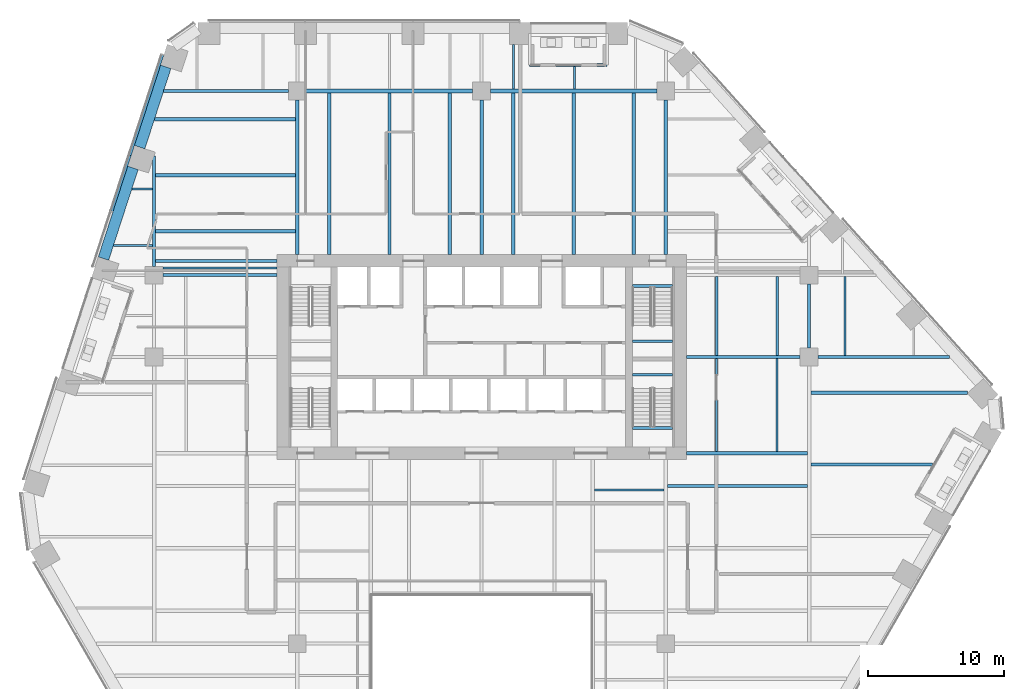
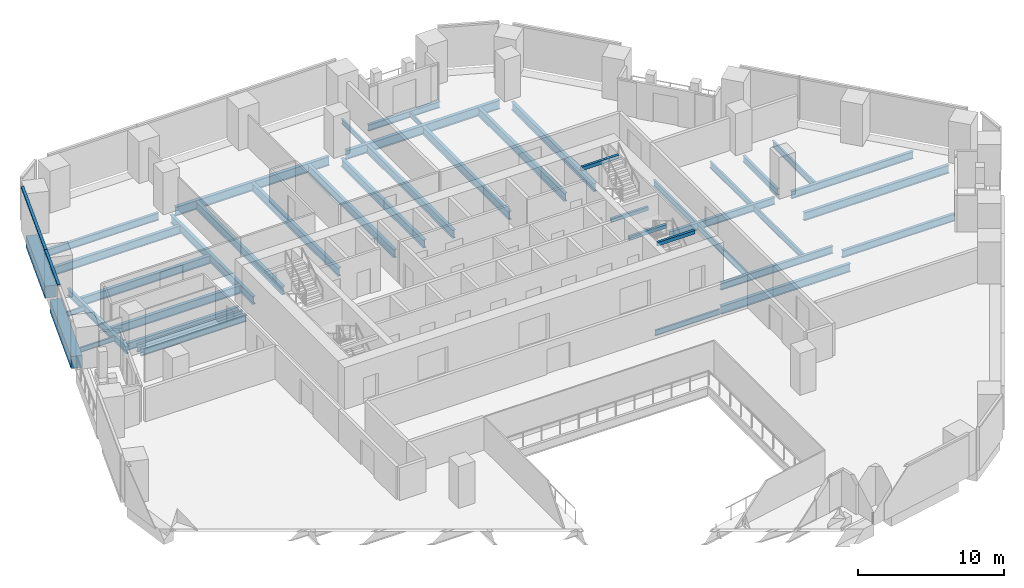
# One storey, part 11 of 28: 43 beams, 2 members, 1 element without a shape of its own.
"""IFC4 building model written with IfcOpenShell, lengths in metres."""

from ifc_helpers import new_model, si_unit, direction, frame, origin, origin_2d, place, context, subcontext, project, spatial, rectangle, i_section, extrude, material, layer, layer_set, material_profile, profile_set, type_object, element, aggregate, save


model = new_model("IFC4")

# Units and contexts
model_context = context("Model", 3, precision=1e-05, world=origin(), true_north=direction((0.0, 1.0)))
body_context = subcontext(model_context, "Body", "Model", "MODEL_VIEW")
ifc_project = project(units=[si_unit("LENGTHUNIT", "METRE"), si_unit("AREAUNIT", "SQUARE_METRE"), si_unit("VOLUMEUNIT", "CUBIC_METRE"), si_unit("PLANEANGLEUNIT", "RADIAN"), si_unit("MASSUNIT", "GRAM", prefix="KILO")], contexts=[model_context])

# Site, building, storey
site_placement = place(None, origin())
site = spatial("IfcSite", under=ifc_project, at=site_placement, CompositionType="ELEMENT")
building_placement = place(site_placement, origin())
building = spatial("IfcBuilding", under=site, at=building_placement, Name="Isthmus Gate Tower", CompositionType="ELEMENT")
storey_placement = place(building_placement, frame((0.0, 0.0, 98.89990234375)))
storey = spatial("IfcBuildingStorey", under=building, at=storey_placement, Name="L23", CompositionType="ELEMENT", Elevation=98.89990234375)

# Curtain wall, members
ifc_material_1 = material(Name="Aluminium, pale champagne anodised", Category="aluminium")
ifc_layer = layer(ifc_material_1, 0.199951171875)
ifc_layer_set = layer_set([ifc_layer], Name="CW-1 UNITISED CURTAIN WALL 200 DEEP")
curtain_wall_type = type_object("IfcCurtainWallType", Name="CW-1 UNITISED CURTAIN WALL 200 DEEP", PredefinedType="NOTDEFINED", material=ifc_layer_set)
curtain_wall_placement = place(storey_placement, origin())
curtain_wall = element("IfcCurtainWall", 1, at=curtain_wall_placement, inside=storey, type_object=curtain_wall_type, Name="CW-1 NW L23", PredefinedType="NOTDEFINED")
ifc_material_2 = material(Name="Aluminium, pale champagne anodised", Category="aluminium")
ifc_material_profile_1 = material_profile(ifc_material_2, rectangle(XDim=0.199951171875, YDim=0.14990234375, at=origin_2d()), Name="200x150")
ifc_profile_set_1 = profile_set([ifc_material_profile_1], Name="Aluminium, pale champagne anodised")
member_type = type_object("IfcMemberType", Name="CW-1 TRANSOM 200 X 150", PredefinedType="USERDEFINED", material=ifc_profile_set_1)
member_1_placement = place(storey_placement, frame((-23.389892578125, 29.6279296875, 3.5751953125), z_axis=(-0.309036077329, -0.951050315656, 0.0), x_axis=(0.951050315656, -0.309036077329, 0.0)))
member_1 = element("IfcMember", 2, at=member_1_placement, type_object=member_type, Name="CW-1 transom", ObjectType="TRANSOM", PredefinedType="USERDEFINED", context=body_context, shape_type="SweptSolid", body=[
    extrude(rectangle(XDim=0.199951171875, YDim=0.14990234375, at=origin_2d()), origin(), (0.0, 0.0, 1.0), 7.7294921875),
])
member_2_placement = place(storey_placement, frame((-25.778564453125, 22.27685546875, 3.5751953125), z_axis=(-0.309021801109, -0.951054954479, 0.0), x_axis=(0.951054954479, -0.309021801109, 0.0)))
member_2 = element("IfcMember", 3, at=member_2_placement, type_object=member_type, Name="CW-1 transom", ObjectType="TRANSOM", PredefinedType="USERDEFINED", context=body_context, shape_type="SweptSolid", body=[
    extrude(rectangle(XDim=0.199951171875, YDim=0.14990234375, at=origin_2d()), origin(), (0.0, 0.0, 1.0), 4.294677734375),
])
aggregate(curtain_wall, [member_1, member_2])

# Beams
ifc_material_3 = material(Name="Concrete f'c 70 MPa", Category="concrete")
ifc_material_profile_2 = material_profile(ifc_material_3, rectangle(XDim=0.800048828125, YDim=1.0, at=origin_2d()), Name="RC 800X1000")
ifc_profile_set_2 = profile_set([ifc_material_profile_2], Name="Concrete f'c 70 MPa")
beam_type_1 = type_object("IfcBeamType", Name="RC SPANDREL 800 X 1000", PredefinedType="SPANDREL", material=ifc_profile_set_2)
beam_1_placement = place(storey_placement, frame((-27.7099609375, 14.71435546875, -0.5), z_axis=(0.309029993465, 0.951052292537, 0.0), x_axis=(-0.951052292537, 0.309029993465, 0.0)))
element("IfcBeam", 4, at=beam_1_placement, inside=storey, type_object=beam_type_1, Name="str-spandrel-L23-20", PredefinedType="SPANDREL", context=body_context, shape_type="SweptSolid", body=[
    extrude(rectangle(XDim=0.800048828125, YDim=1.0, at=origin_2d()), origin(), (0.0, 0.0, 1.0), 6.9892578125),
])
beam_2_placement = place(storey_placement, frame((-25.0556640625, 22.88330078125, -0.5), z_axis=(0.309023635203, 0.951054358534, 0.0), x_axis=(-0.951054358534, 0.309023635203, 0.0)))
element("IfcBeam", 5, at=beam_2_placement, inside=storey, type_object=beam_type_1, Name="str-spandrel-L23-21", PredefinedType="SPANDREL", context=body_context, shape_type="SweptSolid", body=[
    extrude(rectangle(XDim=0.800048828125, YDim=1.0, at=origin_2d()), origin(), (0.0, 0.0, 1.0), 6.189208984375),
])
ifc_material_4 = material(Name="Concrete f'c 40 MPa", Category="concrete")
ifc_material_profile_3 = material_profile(ifc_material_4, rectangle(XDim=0.199951171875, YDim=0.300048828125, at=origin_2d()), Name="STAIR LANDING BEAM RC 200 X 300")
ifc_profile_set_3 = profile_set([ifc_material_profile_3], Name="Concrete f'c 40 MPa")
beam_type_2 = type_object("IfcBeamType", Name="STAIR LANDING BEAM RC 200 X 300", PredefinedType="BEAM", material=ifc_profile_set_3)
for number, where, z_axis, x_axis, name in (
    (6, (11.050048828125, 8.64990234375, 1.47509765625), (1.0, 0.0, 0.0), (0.0, 1.0, 0.0), "L23 ST2 landing beam 1"),
    (7, (11.050048828125, 12.7001953125, 3.35009765625), (1.0, 0.0, 0.0), (0.0, 1.0, 0.0), "L23 ST2 floor-edge seat beam"),
    (8, (11.050048828125, 6.199951171875, 1.47509765625), (1.0, 0.0, 0.0), (0.0, 1.0, 0.0), "L23 ST8 landing beam 1"),
    (9, (11.050048828125, 2.2998046875, 3.35009765625), (1.0, 0.0, 0.0), (0.0, 1.0, 0.0), "L23 ST8 floor-edge seat beam"),
):
    element("IfcBeam", number, at=place(storey_placement, frame(where, z_axis=z_axis, x_axis=x_axis)), inside=storey, type_object=beam_type_2, Name=name, PredefinedType="BEAM", context=body_context, shape_type="SweptSolid", body=[
        extrude(rectangle(XDim=0.199951171875, YDim=0.300048828125, at=origin_2d()), origin(), (0.0, 0.0, 1.0), 2.949951171875),
    ])
ifc_material_5 = material(Name="Structural steel ASTM A992 Gr 50", Category="steel")
ifc_material_profile_4 = material_profile(ifc_material_5, i_section(OverallWidth=0.1396484375, OverallDepth=0.4033203125, WebThickness=0.00634765625, FlangeThickness=0.010986328125, at=origin_2d()), Name="W16X31")
ifc_profile_set_4 = profile_set([ifc_material_profile_4], Name="Structural steel ASTM A992 Gr 50")
beam_type_3 = type_object("IfcBeamType", Name="STEEL FLOOR BEAM W16X31", PredefinedType="JOIST", material=ifc_profile_set_4)
beam_3_placement = place(storey_placement, frame((-26.976318359375, 15.677978515625, -0.3515625), z_axis=(1.0, 0.0, 0.0), x_axis=(0.0, 1.0, 0.0)))
element("IfcBeam", 10, at=beam_3_placement, inside=storey, type_object=beam_type_3, Name="str-beam-L23-02-00", PredefinedType="JOIST", context=body_context, shape_type="SweptSolid", body=[
    extrude(i_section(OverallWidth=0.1396484375, OverallDepth=0.4033203125, WebThickness=0.00634765625, FlangeThickness=0.010986328125, at=origin_2d()), origin(), (0.0, 0.0, 1.0), 2.862060546875),
])
beam_4_placement = place(storey_placement, frame((-25.629150390625, 19.82421875, -0.3515625), z_axis=(1.0, 0.0, 0.0), x_axis=(0.0, 1.0, 0.0)))
element("IfcBeam", 11, at=beam_4_placement, inside=storey, type_object=beam_type_3, Name="str-beam-L23-02-01", PredefinedType="JOIST", context=body_context, shape_type="SweptSolid", body=[
    extrude(i_section(OverallWidth=0.1396484375, OverallDepth=0.4033203125, WebThickness=0.00634765625, FlangeThickness=0.010986328125, at=origin_2d()), origin(), (0.0, 0.0, 1.0), 1.514892578125),
])
beam_5_placement = place(storey_placement, frame((2.33740234375, 27.1318359375, -0.3515625), z_axis=(0.0, 1.0, 0.0), x_axis=(-1.0, 0.0, 0.0)))
element("IfcBeam", 12, at=beam_5_placement, inside=storey, type_object=beam_type_3, Name="str-beam-L23-24-00", PredefinedType="JOIST", context=body_context, shape_type="SweptSolid", body=[
    extrude(i_section(OverallWidth=0.1396484375, OverallDepth=0.4033203125, WebThickness=0.00634765625, FlangeThickness=0.010986328125, at=origin_2d()), origin(), (0.0, 0.0, 1.0), 3.26806640625),
])
beam_6_placement = place(storey_placement, frame((6.802490234375, 27.1318359375, -0.3515625), z_axis=(0.0, 1.0, 0.0), x_axis=(-1.0, 0.0, 0.0)))
element("IfcBeam", 13, at=beam_6_placement, inside=storey, type_object=beam_type_3, Name="str-beam-L23-24-01", PredefinedType="JOIST", context=body_context, shape_type="SweptSolid", body=[
    extrude(i_section(OverallWidth=0.1396484375, OverallDepth=0.4033203125, WebThickness=0.00634765625, FlangeThickness=0.010986328125, at=origin_2d()), origin(), (0.0, 0.0, 1.0), 1.65869140625),
])
ifc_material_6 = material(Name="Structural steel ASTM A992 Gr 50", Category="steel")
ifc_material_profile_5 = material_profile(ifc_material_6, i_section(OverallWidth=0.15234375, OverallDepth=0.45068359375, WebThickness=0.0078125, FlangeThickness=0.010986328125, at=origin_2d()), Name="W18X35")
ifc_profile_set_5 = profile_set([ifc_material_profile_5], Name="Structural steel ASTM A992 Gr 50")
beam_type_4 = type_object("IfcBeamType", Name="STEEL FLOOR BEAM W18X35", PredefinedType="JOIST", material=ifc_profile_set_5)
beam_7_placement = place(storey_placement, frame((8.263427734375, -2.232421875, -0.375244140625), z_axis=(1.0, 0.0, 0.0), x_axis=(0.0, 1.0, 0.0)))
element("IfcBeam", 14, at=beam_7_placement, inside=storey, type_object=beam_type_4, Name="str-beam-L23-27-02", PredefinedType="JOIST", context=body_context, shape_type="SweptSolid", body=[
    extrude(i_section(OverallWidth=0.15234375, OverallDepth=0.45068359375, WebThickness=0.0078125, FlangeThickness=0.010986328125, at=origin_2d()), origin(), (0.0, 0.0, 1.0), 5.104736328125),
])
ifc_material_7 = material(Name="Structural steel ASTM A992 Gr 50", Category="steel")
ifc_material_profile_6 = material_profile(ifc_material_7, i_section(OverallWidth=0.1650390625, OverallDepth=0.52392578125, WebThickness=0.009521484375, FlangeThickness=0.010986328125, at=origin_2d()), Name="W21X44")
ifc_profile_set_6 = profile_set([ifc_material_profile_6], Name="Structural steel ASTM A992 Gr 50")
beam_type_5 = type_object("IfcBeamType", Name="STEEL FLOOR BEAM W21X44", PredefinedType="JOIST", material=ifc_profile_set_6)
for number, where, z_axis, x_axis, name in (
    (15, (17.223876953125, 7.6142578125, -0.411865234375), (0.0, 1.0, 0.0), (-1.0, 0.0, 0.0), "str-beam-L23-34-00"),
    (16, (21.67138671875, 7.6142578125, -0.411865234375), (0.0, 1.0, 0.0), (-1.0, 0.0, 0.0), "str-beam-L23-34-01"),
):
    element("IfcBeam", number, at=place(storey_placement, frame(where, z_axis=z_axis, x_axis=x_axis)), inside=storey, type_object=beam_type_5, Name=name, PredefinedType="JOIST", context=body_context, shape_type="SweptSolid", body=[
        extrude(i_section(OverallWidth=0.1650390625, OverallDepth=0.52392578125, WebThickness=0.009521484375, FlangeThickness=0.010986328125, at=origin_2d()), origin(), (0.0, 0.0, 1.0), 5.771484375),
    ])
for number, where, z_axis, x_axis, name in (
    (17, (17.216552734375, 0.564208984375, -0.411865234375), (0.0, 1.0, 0.0), (-1.0, 0.0, 0.0), "str-beam-L23-35-00"),
    (18, (21.64990234375, 0.564208984375, -0.411865234375), (0.0, 1.0, 0.0), (-1.0, 0.0, 0.0), "str-beam-L23-35-01"),
):
    element("IfcBeam", number, at=place(storey_placement, frame(where, z_axis=z_axis, x_axis=x_axis)), inside=storey, type_object=beam_type_5, Name=name, PredefinedType="JOIST", context=body_context, shape_type="SweptSolid", body=[
        extrude(i_section(OverallWidth=0.1650390625, OverallDepth=0.52392578125, WebThickness=0.009521484375, FlangeThickness=0.010986328125, at=origin_2d()), origin(), (0.0, 0.0, 1.0), 6.821533203125),
    ])
beam_8_placement = place(storey_placement, frame((26.625244140625, 7.6142578125, -0.411865234375), z_axis=(0.0, 1.0, 0.0), x_axis=(-1.0, 0.0, 0.0)))
element("IfcBeam", 19, at=beam_8_placement, inside=storey, type_object=beam_type_5, Name="str-beam-L23-38-00", PredefinedType="JOIST", context=body_context, shape_type="SweptSolid", body=[
    extrude(i_section(OverallWidth=0.1650390625, OverallDepth=0.52392578125, WebThickness=0.009521484375, FlangeThickness=0.010986328125, at=origin_2d()), origin(), (0.0, 0.0, 1.0), 5.781005859375),
])
ifc_material_8 = material(Name="Structural steel ASTM A992 Gr 50", Category="steel")
ifc_material_profile_7 = material_profile(ifc_material_8, i_section(OverallWidth=0.177734375, OverallDepth=0.60009765625, WebThickness=0.009521484375, FlangeThickness=0.0126953125, at=origin_2d()), Name="W24X55")
ifc_profile_set_7 = profile_set([ifc_material_profile_7], Name="Structural steel ASTM A992 Gr 50")
beam_type_6 = type_object("IfcBeamType", Name="STEEL FLOOR BEAM W24X55", PredefinedType="JOIST", material=ifc_profile_set_7)
beam_9_placement = place(storey_placement, frame((-23.35009765625, 14.02490234375, -0.449951171875), z_axis=(1.0, 0.0, 0.0), x_axis=(0.0, 1.0, 0.0)))
element("IfcBeam", 20, at=beam_9_placement, inside=storey, type_object=beam_type_6, Name="str-beam-L23-06-00", PredefinedType="JOIST", context=body_context, shape_type="SweptSolid", body=[
    extrude(i_section(OverallWidth=0.177734375, OverallDepth=0.60009765625, WebThickness=0.009521484375, FlangeThickness=0.0126953125, at=origin_2d()), origin(), (0.0, 0.0, 1.0), 8.35009765625),
])
ifc_material_9 = material(Name="Structural steel ASTM A992 Gr 50", Category="steel")
ifc_material_profile_8 = material_profile(ifc_material_9, i_section(OverallWidth=0.228515625, OverallDepth=0.603271484375, WebThickness=0.010986328125, FlangeThickness=0.014404296875, at=origin_2d()), Name="W24X68")
ifc_profile_set_8 = profile_set([ifc_material_profile_8], Name="Structural steel ASTM A992 Gr 50")
beam_type_7 = type_object("IfcBeamType", Name="STEEL FLOOR BEAM W24X68", PredefinedType="JOIST", material=ifc_profile_set_8)
beam_10_placement = place(storey_placement, frame((24.13330078125, -0.375, -0.451416015625), z_axis=(1.0, 0.0, 0.0), x_axis=(0.0, 1.0, 0.0)))
element("IfcBeam", 21, at=beam_10_placement, inside=storey, type_object=beam_type_7, Name="str-beam-L23-39-02", PredefinedType="JOIST", context=body_context, shape_type="SweptSolid", body=[
    extrude(i_section(OverallWidth=0.228515625, OverallDepth=0.603271484375, WebThickness=0.010986328125, FlangeThickness=0.014404296875, at=origin_2d()), origin(), (0.0, 0.0, 1.0), 8.89453125),
])
ifc_material_10 = material(Name="Structural steel ASTM A992 Gr 50", Category="steel")
ifc_material_profile_9 = material_profile(ifc_material_10, i_section(OverallWidth=0.25390625, OverallDepth=0.679443359375, WebThickness=0.010986328125, FlangeThickness=0.015869140625, at=origin_2d()), Name="W27X84")
ifc_profile_set_9 = profile_set([ifc_material_profile_9], Name="Structural steel ASTM A992 Gr 50")
beam_type_8 = type_object("IfcBeamType", Name="STEEL FLOOR BEAM W27X84", PredefinedType="JOIST", material=ifc_profile_set_9)
for number, where, z_axis, x_axis, name in (
    (22, (-23.8857421875, 16.72021484375, -0.489501953125), (1.0, 0.0, 0.0), (0.0, 1.0, 0.0), "str-beam-L23-08-00"),
    (23, (-23.8857421875, 20.83203125, -0.489501953125), (1.0, 0.0, 0.0), (0.0, 1.0, 0.0), "str-beam-L23-08-01"),
):
    element("IfcBeam", number, at=place(storey_placement, frame(where, z_axis=z_axis, x_axis=x_axis)), inside=storey, type_object=beam_type_8, Name=name, PredefinedType="JOIST", context=body_context, shape_type="SweptSolid", body=[
        extrude(i_section(OverallWidth=0.25390625, OverallDepth=0.679443359375, WebThickness=0.010986328125, FlangeThickness=0.015869140625, at=origin_2d()), origin(), (0.0, 0.0, 1.0), 10.2587890625),
    ])
beam_11_placement = place(storey_placement, frame((-23.965576171875, 24.944091796875, -0.489501953125), z_axis=(1.0, 0.0, 0.0), x_axis=(0.0, 1.0, 0.0)))
element("IfcBeam", 24, at=beam_11_placement, inside=storey, type_object=beam_type_8, Name="str-beam-L23-08-02", PredefinedType="JOIST", context=body_context, shape_type="SweptSolid", body=[
    extrude(i_section(OverallWidth=0.25390625, OverallDepth=0.679443359375, WebThickness=0.010986328125, FlangeThickness=0.015869140625, at=origin_2d()), origin(), (0.0, 0.0, 1.0), 10.338623046875),
])
for number, where, z_axis, x_axis, name in (
    (25, (-11.165283203125, 15.0, -0.489501953125), (0.0, 1.0, 0.0), (-1.0, 0.0, 0.0), "str-beam-L23-16-00"),
    (26, (-6.75, 15.0, -0.489501953125), (0.0, 1.0, 0.0), (-1.0, 0.0, 0.0), "str-beam-L23-16-01"),
    (27, (-2.334716796875, 15.0, -0.489501953125), (0.0, 1.0, 0.0), (-1.0, 0.0, 0.0), "str-beam-L23-16-02"),
    (28, (2.334716796875, 15.0, -0.489501953125), (0.0, 1.0, 0.0), (-1.0, 0.0, 0.0), "str-beam-L23-25-00"),
    (29, (6.75, 15.0, -0.489501953125), (0.0, 1.0, 0.0), (-1.0, 0.0, 0.0), "str-beam-L23-25-01"),
    (30, (11.165283203125, 15.0, -0.489501953125), (0.0, 1.0, 0.0), (-1.0, 0.0, 0.0), "str-beam-L23-25-02"),
):
    element("IfcBeam", number, at=place(storey_placement, frame(where, z_axis=z_axis, x_axis=x_axis)), inside=storey, type_object=beam_type_8, Name=name, PredefinedType="JOIST", context=body_context, shape_type="SweptSolid", body=[
        extrude(i_section(OverallWidth=0.25390625, OverallDepth=0.679443359375, WebThickness=0.010986328125, FlangeThickness=0.015869140625, at=origin_2d()), origin(), (0.0, 0.0, 1.0), 11.8681640625),
    ])
beam_12_placement = place(storey_placement, frame((13.6318359375, -1.947998046875, -0.489501953125), z_axis=(1.0, 0.0, 0.0), x_axis=(0.0, 1.0, 0.0)))
element("IfcBeam", 31, at=beam_12_placement, inside=storey, type_object=beam_type_8, Name="str-beam-L23-31-02", PredefinedType="JOIST", context=body_context, shape_type="SweptSolid", body=[
    extrude(i_section(OverallWidth=0.25390625, OverallDepth=0.679443359375, WebThickness=0.010986328125, FlangeThickness=0.015869140625, at=origin_2d()), origin(), (0.0, 0.0, 1.0), 10.23486328125),
])
beam_13_placement = place(storey_placement, frame((24.13330078125, 4.875, -0.489501953125), z_axis=(1.0, 0.0, 0.0), x_axis=(0.0, 1.0, 0.0)))
element("IfcBeam", 32, at=beam_13_placement, inside=storey, type_object=beam_type_8, Name="str-beam-L23-39-03", PredefinedType="JOIST", context=body_context, shape_type="SweptSolid", body=[
    extrude(i_section(OverallWidth=0.25390625, OverallDepth=0.679443359375, WebThickness=0.010986328125, FlangeThickness=0.015869140625, at=origin_2d()), origin(), (0.0, 0.0, 1.0), 11.484130859375),
])
ifc_material_11 = material(Name="Structural steel ASTM A992 Gr 50", Category="steel")
ifc_material_profile_10 = material_profile(ifc_material_11, i_section(OverallWidth=0.20947265625, OverallDepth=0.533447265625, WebThickness=0.009521484375, FlangeThickness=0.015869140625, at=origin_2d()), Name="W21X62")
ifc_profile_set_10 = profile_set([ifc_material_profile_10], Name="Structural steel ASTM A992 Gr 50")
beam_type_9 = type_object("IfcBeamType", Name="STEEL GIRDER W21X62", PredefinedType="BEAM", material=ifc_profile_set_10)
beam_14_placement = place(storey_placement, frame((24.0, 8.14990234375, -0.41650390625), z_axis=(0.0, 1.0, 0.0), x_axis=(-1.0, 0.0, 0.0)))
element("IfcBeam", 33, at=beam_14_placement, inside=storey, type_object=beam_type_9, Name="str-girder-L23-37", PredefinedType="BEAM", context=body_context, shape_type="SweptSolid", body=[
    extrude(i_section(OverallWidth=0.20947265625, OverallDepth=0.533447265625, WebThickness=0.009521484375, FlangeThickness=0.015869140625, at=origin_2d()), origin(), (0.0, 0.0, 1.0), 4.7001953125),
])
ifc_material_12 = material(Name="Structural steel ASTM A992 Gr 50", Category="steel")
ifc_material_profile_11 = material_profile(ifc_material_12, i_section(OverallWidth=0.228515625, OverallDepth=0.6064453125, WebThickness=0.010986328125, FlangeThickness=0.017578125, at=origin_2d()), Name="W24X76")
ifc_profile_set_11 = profile_set([ifc_material_profile_11], Name="Structural steel ASTM A992 Gr 50")
beam_type_10 = type_object("IfcBeamType", Name="STEEL GIRDER W24X76", PredefinedType="BEAM", material=ifc_profile_set_11)
beam_15_placement = place(storey_placement, frame((15.0, 7.5, -0.453125), z_axis=(1.0, 0.0, 0.0), x_axis=(0.0, 1.0, 0.0)))
element("IfcBeam", 34, at=beam_15_placement, inside=storey, type_object=beam_type_10, Name="str-girder-L23-11", PredefinedType="BEAM", context=body_context, shape_type="SweptSolid", body=[
    extrude(i_section(OverallWidth=0.228515625, OverallDepth=0.6064453125, WebThickness=0.010986328125, FlangeThickness=0.017578125, at=origin_2d()), origin(), (0.0, 0.0, 1.0), 8.35009765625),
])
beam_16_placement = place(storey_placement, frame((24.64990234375, 7.5, -0.453125), z_axis=(1.0, 0.0, 0.0), x_axis=(0.0, 1.0, 0.0)))
element("IfcBeam", 35, at=beam_16_placement, inside=storey, type_object=beam_type_10, Name="str-girder-L23-12", PredefinedType="BEAM", context=body_context, shape_type="SweptSolid", body=[
    extrude(i_section(OverallWidth=0.228515625, OverallDepth=0.6064453125, WebThickness=0.010986328125, FlangeThickness=0.017578125, at=origin_2d()), origin(), (0.0, 0.0, 1.0), 9.639892578125),
])
beam_17_placement = place(storey_placement, frame((-23.35009765625, 13.5, -0.453125), z_axis=(1.0, 0.0, 0.0), x_axis=(0.0, 1.0, 0.0)))
element("IfcBeam", 36, at=beam_17_placement, inside=storey, type_object=beam_type_10, Name="str-girder-L23-14", PredefinedType="BEAM", context=body_context, shape_type="SweptSolid", body=[
    extrude(i_section(OverallWidth=0.228515625, OverallDepth=0.6064453125, WebThickness=0.010986328125, FlangeThickness=0.017578125, at=origin_2d()), origin(), (0.0, 0.0, 1.0), 8.35009765625),
])
beam_18_placement = place(storey_placement, frame((-23.297607421875, 27.0, -0.453125), z_axis=(1.0, 0.0, 0.0), x_axis=(0.0, 1.0, 0.0)))
element("IfcBeam", 37, at=beam_18_placement, inside=storey, type_object=beam_type_10, Name="str-girder-L23-17", PredefinedType="BEAM", context=body_context, shape_type="SweptSolid", body=[
    extrude(i_section(OverallWidth=0.228515625, OverallDepth=0.6064453125, WebThickness=0.010986328125, FlangeThickness=0.017578125, at=origin_2d()), origin(), (0.0, 0.0, 1.0), 9.147705078125),
])
beam_19_placement = place(storey_placement, frame((-24.0, 14.14990234375, -0.453125), z_axis=(0.0, 1.0, 0.0), x_axis=(-1.0, 0.0, 0.0)))
element("IfcBeam", 38, at=beam_19_placement, inside=storey, type_object=beam_type_10, Name="str-girder-L23-23", PredefinedType="BEAM", context=body_context, shape_type="SweptSolid", body=[
    extrude(i_section(OverallWidth=0.228515625, OverallDepth=0.6064453125, WebThickness=0.010986328125, FlangeThickness=0.017578125, at=origin_2d()), origin(), (0.0, 0.0, 1.0), 8.099365234375),
])
beam_20_placement = place(storey_placement, frame((15.0, 0.449951171875, -0.453125), z_axis=(1.0, 0.0, 0.0), x_axis=(0.0, 1.0, 0.0)))
element("IfcBeam", 39, at=beam_20_placement, inside=storey, type_object=beam_type_10, Name="str-girder-L23-40", PredefinedType="BEAM", context=body_context, shape_type="SweptSolid", body=[
    extrude(i_section(OverallWidth=0.228515625, OverallDepth=0.6064453125, WebThickness=0.010986328125, FlangeThickness=0.017578125, at=origin_2d()), origin(), (0.0, 0.0, 1.0), 8.86669921875),
])
beam_21_placement = place(storey_placement, frame((-15.0, 14.550048828125, -0.453125), z_axis=(-1.0, 0.0, 0.0), x_axis=(0.0, -1.0, 0.0)))
element("IfcBeam", 40, at=beam_21_placement, inside=storey, type_object=beam_type_10, Name="str-girder-L23-41", PredefinedType="BEAM", context=body_context, shape_type="SweptSolid", body=[
    extrude(i_section(OverallWidth=0.228515625, OverallDepth=0.6064453125, WebThickness=0.010986328125, FlangeThickness=0.017578125, at=origin_2d()), origin(), (0.0, 0.0, 1.0), 8.8857421875),
])
ifc_material_13 = material(Name="Structural steel ASTM A992 Gr 50", Category="steel")
ifc_material_profile_12 = material_profile(ifc_material_13, i_section(OverallWidth=0.25390625, OverallDepth=0.679443359375, WebThickness=0.010986328125, FlangeThickness=0.015869140625, at=origin_2d()), Name="W27X84")
ifc_profile_set_12 = profile_set([ifc_material_profile_12], Name="Structural steel ASTM A992 Gr 50")
beam_type_11 = type_object("IfcBeamType", Name="STEEL GIRDER W27X84", PredefinedType="BEAM", material=ifc_profile_set_12)
for number, where, z_axis, x_axis, name in (
    (41, (-13.5, 15.0, -0.489501953125), (0.0, 1.0, 0.0), (-1.0, 0.0, 0.0), "str-girder-L23-27"),
    (42, (0.0, 15.0, -0.489501953125), (0.0, 1.0, 0.0), (-1.0, 0.0, 0.0), "str-girder-L23-30"),
    (43, (13.5, 15.0, -0.489501953125), (0.0, 1.0, 0.0), (-1.0, 0.0, 0.0), "str-girder-L23-34"),
):
    element("IfcBeam", number, at=place(storey_placement, frame(where, z_axis=z_axis, x_axis=x_axis)), inside=storey, type_object=beam_type_11, Name=name, PredefinedType="BEAM", context=body_context, shape_type="SweptSolid", body=[
        extrude(i_section(OverallWidth=0.25390625, OverallDepth=0.679443359375, WebThickness=0.010986328125, FlangeThickness=0.015869140625, at=origin_2d()), origin(), (0.0, 0.0, 1.0), 11.35009765625),
    ])
ifc_material_14 = material(Name="Structural steel ASTM A992 Gr 50", Category="steel")
ifc_material_profile_13 = material_profile(ifc_material_14, i_section(OverallWidth=0.263427734375, OverallDepth=0.749267578125, WebThickness=0.0126953125, FlangeThickness=0.015869140625, at=origin_2d()), Name="W30X90")
ifc_profile_set_13 = profile_set([ifc_material_profile_13], Name="Structural steel ASTM A992 Gr 50")
beam_type_12 = type_object("IfcBeamType", Name="STEEL GIRDER W30X90", PredefinedType="BEAM", material=ifc_profile_set_13)
for number, where, z_axis, x_axis, name in (
    (44, (-12.85009765625, 27.0, -0.524658203125), (1.0, 0.0, 0.0), (0.0, 1.0, 0.0), "str-girder-L23-18"),
    (45, (0.64990234375, 27.0, -0.524658203125), (1.0, 0.0, 0.0), (0.0, 1.0, 0.0), "str-girder-L23-19"),
):
    element("IfcBeam", number, at=place(storey_placement, frame(where, z_axis=z_axis, x_axis=x_axis)), inside=storey, type_object=beam_type_12, Name=name, PredefinedType="BEAM", context=body_context, shape_type="SweptSolid", body=[
        extrude(i_section(OverallWidth=0.263427734375, OverallDepth=0.749267578125, WebThickness=0.0126953125, FlangeThickness=0.015869140625, at=origin_2d()), origin(), (0.0, 0.0, 1.0), 12.2001953125),
    ])
ifc_material_15 = material(Name="Structural steel ASTM A992 Gr 50", Category="steel")
ifc_material_profile_14 = material_profile(ifc_material_15, i_section(OverallWidth=0.20947265625, OverallDepth=0.533447265625, WebThickness=0.009521484375, FlangeThickness=0.015869140625, at=origin_2d()), Name="W21X62")
ifc_profile_set_14 = profile_set([ifc_material_profile_14], Name="Structural steel ASTM A992 Gr 50")
beam_type_13 = type_object("IfcBeamType", Name="STEEL TRIMMER W21X62", PredefinedType="BEAM", material=ifc_profile_set_14)
beam_22_placement = place(storey_placement, frame((9.20654296875, 28.895263671875, -0.41650390625), z_axis=(-1.0, 0.0, 0.0), x_axis=(0.0, -1.0, 0.0)))
element("IfcBeam", 46, at=beam_22_placement, inside=storey, type_object=beam_type_13, Name="str-loggiatrim-L23-01-B", PredefinedType="BEAM", context=body_context, shape_type="SweptSolid", body=[
    extrude(i_section(OverallWidth=0.20947265625, OverallDepth=0.533447265625, WebThickness=0.009521484375, FlangeThickness=0.015869140625, at=origin_2d()), origin(), (0.0, 0.0, 1.0), 5.678955078125),
])

save(model, "model.ifc")
